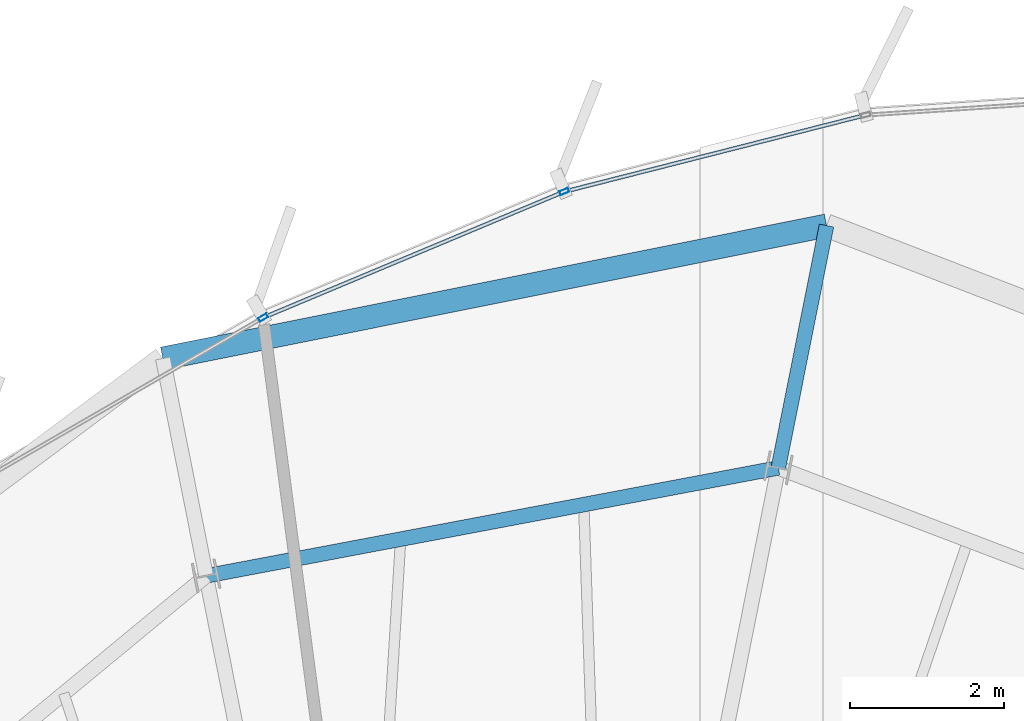
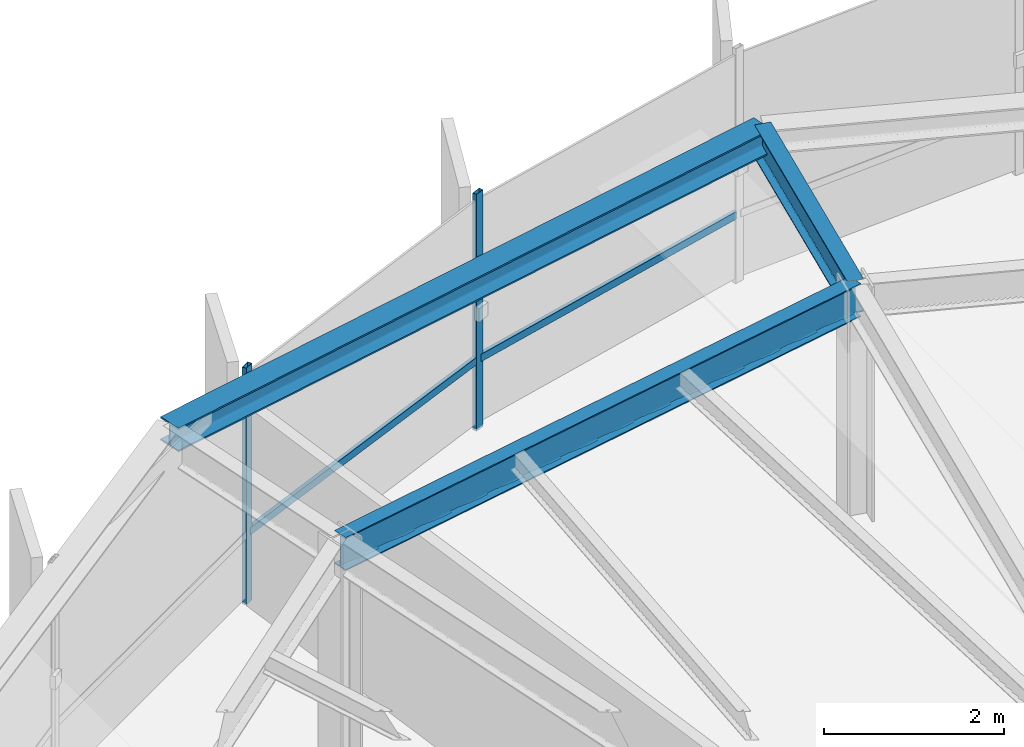
# One storey, part 22 of 34: 4 members, 3 beams, 1 element without a shape of its own.
"""IFC4 building model written with IfcOpenShell, lengths in metres."""

import ifcopenshell
import ifcopenshell.guid

model = None  # the IFC model being written
_history = None  # IfcOwnerHistory: only IFC2X3 demands one
_inside = {}  # id of a spatial element -> (the spatial element, [elements in it])
_under = {}  # id of a project, library or spatial element -> (it, [spatial elements below it])
_declared = {}  # id of a project -> (the project, [libraries it declares])
_typed = {}  # id of a type object -> (the type object, [elements of that type])
_made_of = {}  # id of a material, layer set ... -> (it, [elements and type objects made of it])


def new_model(schema):
    """Start an empty IFC model of exactly this schema.

    Asked for "IFC4X3", IfcOpenShell would pick the latest addendum, in which some entities
    have other attributes; the version numbers below select the first issue.
    IFC2X3 requires an IfcOwnerHistory on every rooted entity: one is made here for all.
    """
    global model, _history
    if schema == "IFC4X3":
        model = ifcopenshell.file(schema_version=(4, 3, 0, 0))
    else:
        model = ifcopenshell.file(schema=schema)
    _inside.clear()
    _under.clear()
    _declared.clear()
    _typed.clear()
    _made_of.clear()
    _history = None
    if model.schema == "IFC2X3":
        org = make("IfcOrganization", Name="unknown")
        user = make(
            "IfcPersonAndOrganization",
            ThePerson=make("IfcPerson", FamilyName="unknown"),
            TheOrganization=org,
        )
        app = make(
            "IfcApplication",
            ApplicationDeveloper=org,
            Version="unknown",
            ApplicationFullName="unknown",
            ApplicationIdentifier="unknown",
        )
        _history = make(
            "IfcOwnerHistory",
            OwningUser=user,
            OwningApplication=app,
            ChangeAction="ADDED",
            CreationDate=0,
        )
    return model


def make(cls, **values):
    """One entity of the class cls with the attributes given. An attribute that is None is left unset."""
    return model.create_entity(
        cls, **{name: value for name, value in values.items() if value is not None}
    )


def rooted(cls, **values):
    """An entity with a GlobalId (a new one), such as an element, a storey or a relation."""
    return make(cls, GlobalId=ifcopenshell.guid.new(), OwnerHistory=_history, **values)


def si_unit(unit_type, name, prefix=None):
    """IfcSIUnit, for example si_unit("LENGTHUNIT", "METRE", prefix="MILLI")."""
    return make("IfcSIUnit", UnitType=unit_type, Prefix=prefix, Name=name)


def assignment(units):
    """IfcUnitAssignment: the units of a project."""
    return None if units is None else make("IfcUnitAssignment", Units=units)


def point(xyz):
    """IfcCartesianPoint."""
    return None if xyz is None else make("IfcCartesianPoint", Coordinates=xyz)


def direction(xyz):
    """IfcDirection."""
    return None if xyz is None else make("IfcDirection", DirectionRatios=xyz)


def frame(location, z_axis=None, x_axis=None):
    """IfcAxis2Placement3D, a coordinate frame: its origin and axes. An axis left out is left unset."""
    return make(
        "IfcAxis2Placement3D",
        Location=point(location),
        Axis=direction(z_axis),
        RefDirection=direction(x_axis),
    )


def frame_2d(location, x_axis=None):
    """IfcAxis2Placement2D, a coordinate frame in the plane: its origin and x axis."""
    return make(
        "IfcAxis2Placement2D", Location=point(location), RefDirection=direction(x_axis)
    )


def origin():
    """The frame at (0, 0, 0) with its axes left unset."""
    return frame((0.0, 0.0, 0.0))


def origin_2d():
    """The frame at (0, 0) in the plane with its x axis left unset."""
    return frame_2d((0.0, 0.0))


def place(relative_to, where):
    """IfcLocalPlacement: puts the frame where relative to a parent placement (None: the world)."""
    return make(
        "IfcLocalPlacement", PlacementRelTo=relative_to, RelativePlacement=where
    )


def context(
    kind, dimensions, precision=None, world=None, true_north=None, identifier=None
):
    """IfcGeometricRepresentationContext, for example the 3D "Model" context."""
    return make(
        "IfcGeometricRepresentationContext",
        ContextIdentifier=identifier,
        ContextType=kind,
        CoordinateSpaceDimension=dimensions,
        Precision=precision,
        WorldCoordinateSystem=world,
        TrueNorth=true_north,
    )


def subcontext(parent, identifier, kind, view, scale=None):
    """IfcGeometricRepresentationSubContext, for example "Body" below "Model"."""
    return make(
        "IfcGeometricRepresentationSubContext",
        ContextIdentifier=identifier,
        ContextType=kind,
        ParentContext=parent,
        TargetScale=scale,
        TargetView=view,
    )


def project(units=None, contexts=None):
    """IfcProject with its units and contexts."""
    return rooted(
        "IfcProject",
        Name="project",
        RepresentationContexts=contexts,
        UnitsInContext=assignment(units),
    )


def spatial(cls, under=None, at=None, **own):
    """A site, building, storey or space (cls), placed at a placement, below another one or the project."""
    s = rooted(cls, ObjectPlacement=at, **own)
    if under is not None:
        _under.setdefault(under.id(), (under, []))[1].append(s)
    return s


def profile(cls, at=None, kind="AREA", **sizes):
    """A parametric profile (cls). Its sizes go by their IFC names, for example OverallWidth=200.0."""
    return make(cls, ProfileType=kind, Position=at, **sizes)


def hollow_rectangle(**sizes):
    """IfcRectangleHollowProfileDef."""
    return profile("IfcRectangleHollowProfileDef", **sizes)


def i_section(**sizes):
    """IfcIShapeProfileDef."""
    return profile("IfcIShapeProfileDef", **sizes)


def extrude(swept, where, along, depth):
    """IfcExtrudedAreaSolid: the profile swept, set in the frame where, extruded along a direction by depth."""
    return make(
        "IfcExtrudedAreaSolid",
        SweptArea=swept,
        Position=where,
        ExtrudedDirection=direction(along),
        Depth=depth,
    )


def shape(context_of_items, identifier, shape_type, items):
    """IfcShapeRepresentation: the items that make up one representation, for example the "Body"."""
    return make(
        "IfcShapeRepresentation",
        ContextOfItems=context_of_items,
        RepresentationIdentifier=identifier,
        RepresentationType=shape_type,
        Items=items,
    )


def source(mapping_origin, context_of_items, identifier, shape_type, items):
    """IfcRepresentationMap: a shape defined once, which mapped items show again and again."""
    return make(
        "IfcRepresentationMap",
        MappingOrigin=mapping_origin,
        MappedRepresentation=shape(context_of_items, identifier, shape_type, items),
    )


def transform(
    local_origin,
    x_axis=None,
    y_axis=None,
    z_axis=None,
    scale=None,
    scale2=None,
    scale3=None,
    uniform=True,
):
    """IfcCartesianTransformationOperator3D, or its non-uniform kind. x_axis, y_axis, z_axis: its Axis1, 2, 3."""
    if uniform:
        return make(
            "IfcCartesianTransformationOperator3D",
            Axis1=direction(x_axis),
            Axis2=direction(y_axis),
            LocalOrigin=point(local_origin),
            Scale=scale,
            Axis3=direction(z_axis),
        )
    return make(
        "IfcCartesianTransformationOperator3DnonUniform",
        Axis1=direction(x_axis),
        Axis2=direction(y_axis),
        LocalOrigin=point(local_origin),
        Scale=scale,
        Axis3=direction(z_axis),
        Scale2=scale2,
        Scale3=scale3,
    )


def mapped(mapping_source, mapping_target):
    """IfcMappedItem: shows the shape of a source again, moved by a transform."""
    return make(
        "IfcMappedItem", MappingSource=mapping_source, MappingTarget=mapping_target
    )


def material(Name=None, Category=None):
    """IfcMaterial."""
    return make("IfcMaterial", Name=Name, Category=Category)


def layer(
    of_material, thickness, ventilated=None, Name=None, Category=None, Priority=None
):
    """IfcMaterialLayer: one layer of a wall or slab, of a material (None: an air gap)."""
    return make(
        "IfcMaterialLayer",
        Material=of_material,
        LayerThickness=thickness,
        IsVentilated=ventilated,
        Name=Name,
        Category=Category,
        Priority=Priority,
    )


def layer_set(layers, Name=None):
    """IfcMaterialLayerSet."""
    return make("IfcMaterialLayerSet", MaterialLayers=layers, LayerSetName=Name)


def material_profile(
    of_material, cross_section, Name=None, Category=None, Priority=None
):
    """IfcMaterialProfile: a cross section and its material."""
    return make(
        "IfcMaterialProfile",
        Name=Name,
        Material=of_material,
        Profile=cross_section,
        Priority=Priority,
        Category=Category,
    )


def profile_set(profiles, Name=None, composite=None):
    """IfcMaterialProfileSet."""
    return make(
        "IfcMaterialProfileSet",
        Name=Name,
        MaterialProfiles=profiles,
        CompositeProfile=composite,
    )


def made_of(thing, what):
    """Note that an element or type object is made of a material, layer set ...; save() writes the relation."""
    if what is not None:
        _made_of.setdefault(what.id(), (what, []))[1].append(thing)
    return thing


def type_object(cls, material=None, **own):
    """A type object (cls), such as IfcWallType, which elements share."""
    return made_of(rooted(cls, **own), material)


def element(
    cls,
    number,
    at=None,
    inside=None,
    cuts=None,
    type_object=None,
    material=None,
    context=None,
    identifier="Body",
    shape_type=None,
    held_by="IfcProductDefinitionShape",
    body=None,
    shapes=None,
    **own,
):
    """One element of the class cls, such as IfcWall. Its Tag is "e" and its number.

    at: its placement. inside: the storey or other place that contains it. cuts: it is an
    opening in that element (IfcRelVoidsElement). A single representation is given by context,
    identifier, shape_type and body (its items); several are given by shapes. held_by: the class
    of the entity that holds the representations. save() writes the other relations.
    """
    e = rooted(cls, Tag="e%d" % number, ObjectPlacement=at, **own)
    if body is not None:
        shapes = [shape(context, identifier, shape_type, body)]
    if shapes is not None:
        e.Representation = make(held_by, Representations=shapes)
    if inside is not None:
        _inside.setdefault(inside.id(), (inside, []))[1].append(e)
    if cuts is not None:
        rooted(
            "IfcRelVoidsElement", RelatingBuildingElement=cuts, RelatedOpeningElement=e
        )
    if type_object is not None:
        _typed.setdefault(type_object.id(), (type_object, []))[1].append(e)
    return made_of(e, material)


def aggregate(whole, parts):
    """IfcRelAggregates: a whole, such as a stair, and the parts it consists of."""
    return rooted("IfcRelAggregates", RelatingObject=whole, RelatedObjects=parts)


def save(model, path):
    """Write the relations noted so far, then the file.

    IfcRelAggregates (storeys below a building ...), IfcRelContainedInSpatialStructure (elements
    in a storey), IfcRelDefinesByType, IfcRelAssociatesMaterial and IfcRelDeclares: one each for
    every whole, place, type object, material and project.
    """
    for whole, parts in _under.values():
        aggregate(whole, parts)
    for where, things in _inside.values():
        rooted(
            "IfcRelContainedInSpatialStructure",
            RelatedElements=things,
            RelatingStructure=where,
        )
    for kind, things in _typed.values():
        rooted("IfcRelDefinesByType", RelatedObjects=things, RelatingType=kind)
    for what, things in _made_of.values():
        rooted("IfcRelAssociatesMaterial", RelatedObjects=things, RelatingMaterial=what)
    for by, libraries in _declared.values():
        rooted("IfcRelDeclares", RelatingContext=by, RelatedDefinitions=libraries)
    model.write(path)


model = new_model("IFC4")

# Units and contexts
model_context = context("Model", 3, precision=1e-05, world=origin(), true_north=direction((0.0, 1.0)))
body_context = subcontext(model_context, "Body", "Model", "MODEL_VIEW")
ifc_project = project(units=[si_unit("LENGTHUNIT", "METRE"), si_unit("AREAUNIT", "SQUARE_METRE"), si_unit("VOLUMEUNIT", "CUBIC_METRE"), si_unit("PLANEANGLEUNIT", "RADIAN"), si_unit("MASSUNIT", "GRAM", prefix="KILO"), si_unit("THERMODYNAMICTEMPERATUREUNIT", "KELVIN")], contexts=[model_context])

# Site, building, storey
site_placement = place(None, origin())
site = spatial("IfcSite", under=ifc_project, at=site_placement, CompositionType="ELEMENT")
building_placement = place(site_placement, origin())
building = spatial("IfcBuilding", under=site, at=building_placement, Name="Kethvar Cultural Tower", CompositionType="ELEMENT")
storey_placement = place(building_placement, frame((0.0, 0.0, 259.449951171875)))
storey = spatial("IfcBuildingStorey", under=building, at=storey_placement, Name="L68", CompositionType="ELEMENT", Elevation=259.449951171875)

# Beams
ifc_material_1 = material(Name="Steel S355J2", Category="steel")
ifc_material_profile_1 = material_profile(ifc_material_1, i_section(OverallWidth=0.18994140625, OverallDepth=0.449951171875, WebThickness=0.009521484375, FlangeThickness=0.0146484375, FilletRadius=0.02099609375, at=origin_2d()), Name="Steel S355J2 — IPE450")
ifc_profile_set_1 = profile_set([ifc_material_profile_1], Name="Steel S355J2 — IPE450")
beam_type_1 = type_object("IfcBeamType", Name="BM-IPE450", PredefinedType="BEAM", material=ifc_profile_set_1)
shared_shape_1 = source(origin(), body_context, "Body", "SweptSolid", [
    extrude(i_section(OverallWidth=0.18994140625, OverallDepth=0.449951171875, WebThickness=0.009521484375, FlangeThickness=0.0146484375, FilletRadius=0.02099609375, at=origin_2d()), origin(), (0.0, 0.0, 1.0), 3.199951171875),
])
beam_1_placement = place(storey_placement, frame((50.645263671875, 47.131591796875, 2.983154296875), z_axis=(0.195088965533, 0.980785550224, 0.0), x_axis=(-0.980785550224, 0.195088965533, 0.0)))
element("IfcBeam", 1, at=beam_1_placement, inside=storey, type_object=beam_type_1, Name="L68 Perimeter Cantilever Beam RC-04", PredefinedType="BEAM", context=body_context, shape_type="MappedRepresentation", body=[
    mapped(shared_shape_1, transform((0.0, 0.0, 0.0), scale=1.0)),
])
shared_shape_2 = source(origin(), body_context, "Body", "SweptSolid", [
    extrude(i_section(OverallWidth=0.18994140625, OverallDepth=0.449951171875, WebThickness=0.009521484375, FlangeThickness=0.0146484375, FilletRadius=0.02099609375, at=origin_2d()), origin(), (0.0, 0.0, 1.0), 7.543212890625),
])
beam_2_placement = place(storey_placement, frame((50.645263671875, 47.131591796875, 2.983154296875), z_axis=(-0.982646853086, -0.185486285532, 0.0), x_axis=(0.185486285532, -0.982646853086, 0.0)))
element("IfcBeam", 2, at=beam_2_placement, inside=storey, type_object=beam_type_1, Name="L68 Column Ring Tie Beam CR-04", PredefinedType="BEAM", context=body_context, shape_type="MappedRepresentation", body=[
    mapped(shared_shape_2, transform((0.0, 0.0, 0.0), scale=1.0)),
])
ifc_material_profile_2 = material_profile(ifc_material_1, i_section(OverallWidth=0.300048828125, OverallDepth=0.320068359375, WebThickness=0.011474609375, FlangeThickness=0.0205078125, FilletRadius=0.027099609375, at=origin_2d()), Name="Steel S355J2 — HEB320")
ifc_profile_set_2 = profile_set([ifc_material_profile_2], Name="Steel S355J2 — HEB320")
beam_type_2 = type_object("IfcBeamType", Name="BM-SP320", PredefinedType="SPANDREL", material=ifc_profile_set_2)
shared_shape_3 = source(origin(), body_context, "Body", "SweptSolid", [
    extrude(i_section(OverallWidth=0.300048828125, OverallDepth=0.320068359375, WebThickness=0.011474609375, FlangeThickness=0.0205078125, FilletRadius=0.027099609375, at=origin_2d()), origin(), (0.0, 0.0, 1.0), 8.767578125),
])
beam_3_placement = place(storey_placement, frame((51.26953125, 50.27001953125, 3.048095703125), z_axis=(-0.98054102868, -0.1963142661, 0.0), x_axis=(0.1963142661, -0.98054102868, 0.0)))
element("IfcBeam", 3, at=beam_3_placement, inside=storey, type_object=beam_type_2, Name="L68 Perimeter Spandrel Beam SP-04", PredefinedType="SPANDREL", context=body_context, shape_type="MappedRepresentation", body=[
    mapped(shared_shape_3, transform((0.0, 0.0, 0.0), scale=1.0)),
])

# Curtain wall, members
ifc_material_2 = material(Name="Aluminium 6063-T6", Category="aluminium")
ifc_layer = layer(ifc_material_2, 0.179931640625, Name="Aluminium 6063-T6", Category="aluminium")
ifc_layer_set = layer_set([ifc_layer], Name="Aluminium 6063-T6 (180 mm)")
curtain_wall_type = type_object("IfcCurtainWallType", Name="CW-SYS-05-Z56", PredefinedType="NOTDEFINED", material=ifc_layer_set)
curtain_wall_placement = place(storey_placement, origin())
curtain_wall = element("IfcCurtainWall", 4, at=curtain_wall_placement, inside=storey, type_object=curtain_wall_type, Name="L68 Curtain Wall Run 01", PredefinedType="NOTDEFINED")
ifc_material_profile_3 = material_profile(ifc_material_2, hollow_rectangle(XDim=0.054931640625, YDim=0.1201171875, WallThickness=0.00390625, at=origin_2d()), Name="Aluminium 6063-T6 — RHS120x55x4")
ifc_profile_set_3 = profile_set([ifc_material_profile_3], Name="Aluminium 6063-T6 — RHS120x55x4")
member_type_1 = type_object("IfcMemberType", Name="CW-SYS-05-Z56-MUL", PredefinedType="MULLION", material=ifc_profile_set_3)
shared_shape_4 = source(origin(), body_context, "Body", "SweptSolid", [
    extrude(hollow_rectangle(XDim=0.054931640625, YDim=0.1201171875, WallThickness=0.00390625, at=origin_2d()), origin(), (0.0, 0.0, 1.0), 3.2099609375),
])
member_1_placement = place(storey_placement, frame((47.873291015625, 50.71044921875, 0.0), z_axis=(0.0, 0.0, 1.0), x_axis=(0.386163648508, -0.92243028819, 0.0)))
member_1 = element("IfcMember", 5, at=member_1_placement, type_object=member_type_1, Name="CW-L68-R01 Mullion 5", PredefinedType="MULLION", context=body_context, shape_type="MappedRepresentation", body=[
    mapped(shared_shape_4, transform((0.0, 0.0, 0.0), scale=1.0)),
])
member_2_placement = place(storey_placement, frame((43.972412109375, 49.078369140625, 0.0), z_axis=(0.0, 0.0, 1.0), x_axis=(0.50042316013, -0.865780954287, 0.0)))
member_2 = element("IfcMember", 6, at=member_2_placement, type_object=member_type_1, Name="CW-L68-R01 Mullion 6", PredefinedType="MULLION", context=body_context, shape_type="MappedRepresentation", body=[
    mapped(shared_shape_4, transform((0.0, 0.0, 0.0), scale=1.0)),
])
ifc_material_profile_4 = material_profile(ifc_material_2, hollow_rectangle(XDim=0.050048828125, YDim=0.10009765625, WallThickness=0.00390625, at=origin_2d()), Name="Aluminium 6063-T6 — RHS100x50x4")
ifc_profile_set_4 = profile_set([ifc_material_profile_4], Name="Aluminium 6063-T6 — RHS100x50x4")
member_type_2 = type_object("IfcMemberType", Name="CW-SYS-05-Z56-TRN", PredefinedType="USERDEFINED", material=ifc_profile_set_4)
shared_shape_5 = source(origin(), body_context, "Body", "SweptSolid", [
    extrude(hollow_rectangle(XDim=0.050048828125, YDim=0.10009765625, WallThickness=0.00390625, at=origin_2d()), origin(), (0.0, 0.0, 1.0), 3.9658203125),
])
member_3_placement = place(storey_placement, frame((51.7412109375, 51.693115234375, 0.949951171875), z_axis=(-0.969145852952, -0.2464879626, 0.0), x_axis=(0.2464879626, -0.969145852952, 0.0)))
member_3 = element("IfcMember", 7, at=member_3_placement, type_object=member_type_2, Name="CW-L68-R01 Transom 4", ObjectType="TRANSOM", PredefinedType="USERDEFINED", context=body_context, shape_type="MappedRepresentation", body=[
    mapped(shared_shape_5, transform((0.0, 0.0, 0.0), scale=1.0)),
])
shared_shape_6 = source(origin(), body_context, "Body", "SweptSolid", [
    extrude(hollow_rectangle(XDim=0.050048828125, YDim=0.10009765625, WallThickness=0.00390625, at=origin_2d()), origin(), (0.0, 0.0, 1.0), 4.162353515625),
])
member_4_placement = place(storey_placement, frame((47.8369140625, 50.6953125, 0.949951171875), z_axis=(-0.922419608462, -0.386189158217, 0.0), x_axis=(0.386189158217, -0.922419608462, 0.0)))
member_4 = element("IfcMember", 8, at=member_4_placement, type_object=member_type_2, Name="CW-L68-R01 Transom 5", ObjectType="TRANSOM", PredefinedType="USERDEFINED", context=body_context, shape_type="MappedRepresentation", body=[
    mapped(shared_shape_6, transform((0.0, 0.0, 0.0), scale=1.0)),
])
aggregate(curtain_wall, [member_1, member_2, member_3, member_4])

save(model, "model.ifc")
